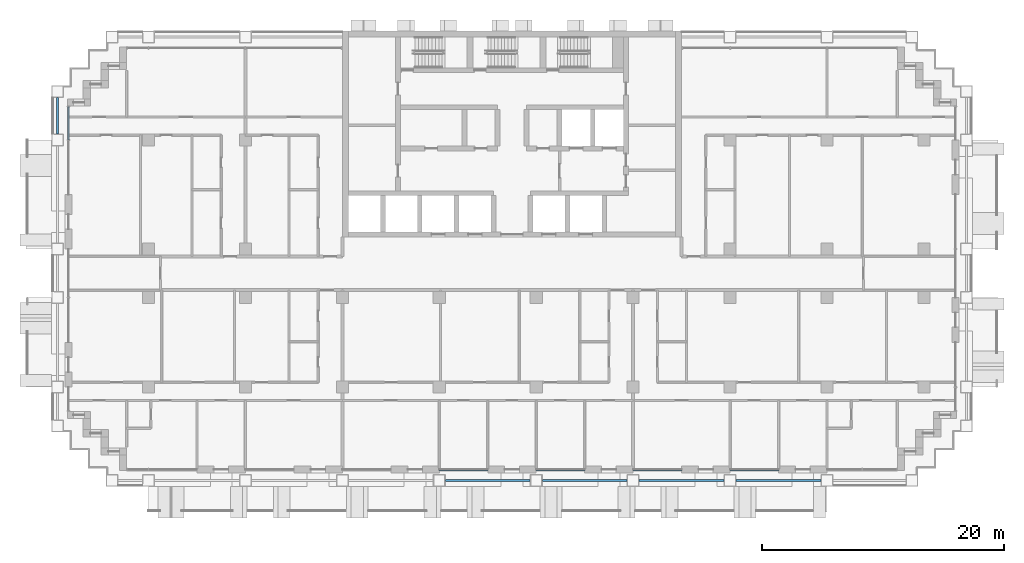
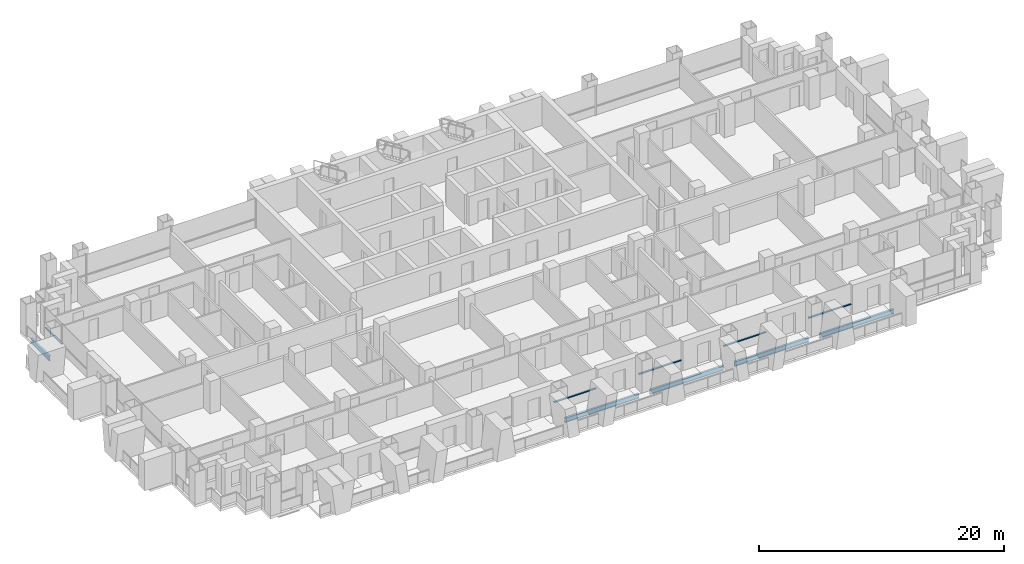
# One storey, part 3 of 18: 5 beams, 5 members, 5 elements without a shape of their own.
"""IFC4 building model written with IfcOpenShell, lengths in metres."""

from ifc_helpers import new_model, si_unit, direction, frame, origin, origin_2d, place, context, subcontext, project, spatial, rectangle, i_section, extrude, material, material_profile, profile_set, type_object, element, aggregate, save


model = new_model("IFC4")

# Units and contexts
model_context = context("Model", 3, precision=1e-05, world=origin(), true_north=direction((0.0, 1.0)))
body_context = subcontext(model_context, "Body", "Model", "MODEL_VIEW")
ifc_project = project(units=[si_unit("LENGTHUNIT", "METRE"), si_unit("AREAUNIT", "SQUARE_METRE"), si_unit("VOLUMEUNIT", "CUBIC_METRE"), si_unit("PLANEANGLEUNIT", "RADIAN"), si_unit("MASSUNIT", "GRAM", prefix="KILO")], contexts=[model_context])

# Site, building, storey
site_placement = place(None, origin())
site = spatial("IfcSite", under=ifc_project, at=site_placement, CompositionType="ELEMENT")
building_placement = place(site_placement, origin())
building = spatial("IfcBuilding", under=site, at=building_placement, Name="Vidyagriha Tower", CompositionType="ELEMENT")
storey_placement = place(building_placement, frame((0.0, 0.0, 54.39990234375)))
storey = spatial("IfcBuildingStorey", under=building, at=storey_placement, Name="L14", CompositionType="ELEMENT", Elevation=54.39990234375)

# Beams
ifc_material_1 = material(Name="Steel ASTM A992 Grade 50", Category="steel")
ifc_material_profile_1 = material_profile(ifc_material_1, i_section(OverallWidth=0.19189453125, OverallDepth=0.46240234375, WebThickness=0.010498046875, FlangeThickness=0.017578125, at=origin_2d()), Name="W18X60")
ifc_profile_set_1 = profile_set([ifc_material_profile_1], Name="Steel ASTM A992 Grade 50")
beam_type = type_object("IfcBeamType", Name="Edge beam W18X60", PredefinedType="SPANDREL", material=ifc_profile_set_1)
for number, where, z_axis, x_axis, name in (
    (1, (-5.5, -17.10009765625, -0.510986328125), (1.0, 0.0, 0.0), (0.0, 1.0, 0.0), "st-beam-L14-S05"),
    (2, (2.5, -17.10009765625, -0.510986328125), (1.0, 0.0, 0.0), (0.0, 1.0, 0.0), "st-beam-L14-S06"),
    (3, (10.5, -17.10009765625, -0.510986328125), (1.0, 0.0, 0.0), (0.0, 1.0, 0.0), "st-beam-L14-S07"),
    (4, (18.5, -17.10009765625, -0.510986328125), (1.0, 0.0, 0.0), (0.0, 1.0, 0.0), "st-beam-L14-S08"),
):
    element("IfcBeam", number, at=place(storey_placement, frame(where, z_axis=z_axis, x_axis=x_axis)), inside=storey, type_object=beam_type, Name=name, PredefinedType="SPANDREL", context=body_context, shape_type="SweptSolid", body=[
        extrude(i_section(OverallWidth=0.19189453125, OverallDepth=0.46240234375, WebThickness=0.010498046875, FlangeThickness=0.017578125, at=origin_2d()), origin(), (0.0, 0.0, 1.0), 7.0),
    ])
beam_placement = place(storey_placement, frame((-37.5, 11.5, -0.510986328125), z_axis=(0.0, 1.0, 0.0), x_axis=(-1.0, 0.0, 0.0)))
element("IfcBeam", 5, at=beam_placement, inside=storey, type_object=beam_type, Name="st-beam-L14-W14", PredefinedType="SPANDREL", context=body_context, shape_type="SweptSolid", body=[
    extrude(i_section(OverallWidth=0.19189453125, OverallDepth=0.46240234375, WebThickness=0.010498046875, FlangeThickness=0.017578125, at=origin_2d()), origin(), (0.0, 0.0, 1.0), 3.0),
])

# Curtain wall, member
ifc_material_2 = material(Name="Aluminium and glass curtain wall", Category="aluminium")
curtain_wall_type = type_object("IfcCurtainWallType", Name="Dwelling skin unitised curtain wall", PredefinedType="USERDEFINED", material=ifc_material_2)
curtain_wall_1_placement = place(storey_placement, origin())
curtain_wall_1 = element("IfcCurtainWall", 6, at=curtain_wall_1_placement, inside=storey, type_object=curtain_wall_type, Name="CW1 dwelling skin", ObjectType="UNITISED", PredefinedType="USERDEFINED")
ifc_material_3 = material(Name="Aluminium black anodised", Category="aluminium")
ifc_material_profile_2 = material_profile(ifc_material_3, rectangle(XDim=0.159912109375, YDim=0.10009765625, at=origin_2d()), Name="Transom 100x160 black aluminium")
ifc_profile_set_2 = profile_set([ifc_material_profile_2], Name="Aluminium black anodised")
member_type = type_object("IfcMemberType", Name="Transom 100x160 black aluminium", PredefinedType="USERDEFINED", material=ifc_profile_set_2)
member_1_placement = place(storey_placement, frame((-36.60009765625, 13.72998046875, 0.900146484375), z_axis=(0.0, -1.0, 0.0), x_axis=(1.0, 0.0, 0.0)))
member_1 = element("IfcMember", 7, at=member_1_placement, type_object=member_type, Name="CW1 transom 1.1", ObjectType="TRANSOM", PredefinedType="USERDEFINED", context=body_context, shape_type="SweptSolid", body=[
    extrude(rectangle(XDim=0.159912109375, YDim=0.10009765625, at=origin_2d()), origin(), (0.0, 0.0, 1.0), 2.695068359375),
])
aggregate(curtain_wall_1, [member_1])

curtain_wall_2_placement = place(storey_placement, origin())
curtain_wall_2 = element("IfcCurtainWall", 8, at=curtain_wall_2_placement, inside=storey, type_object=curtain_wall_type, Name="CW1 dwelling skin", ObjectType="UNITISED", PredefinedType="USERDEFINED")
member_2_placement = place(storey_placement, frame((-6.0, -16.199951171875, 0.900146484375), z_axis=(1.0, 0.0, 0.0), x_axis=(0.0, 1.0, 0.0)))
member_2 = element("IfcMember", 9, at=member_2_placement, type_object=member_type, Name="CW1 transom 1.1", ObjectType="TRANSOM", PredefinedType="USERDEFINED", context=body_context, shape_type="SweptSolid", body=[
    extrude(rectangle(XDim=0.159912109375, YDim=0.10009765625, at=origin_2d()), origin(), (0.0, 0.0, 1.0), 4.0),
])
aggregate(curtain_wall_2, [member_2])

curtain_wall_3_placement = place(storey_placement, origin())
curtain_wall_3 = element("IfcCurtainWall", 10, at=curtain_wall_3_placement, inside=storey, type_object=curtain_wall_type, Name="CW1 dwelling skin", ObjectType="UNITISED", PredefinedType="USERDEFINED")
member_3_placement = place(storey_placement, frame((2.0, -16.199951171875, 0.900146484375), z_axis=(1.0, 0.0, 0.0), x_axis=(0.0, 1.0, 0.0)))
member_3 = element("IfcMember", 11, at=member_3_placement, type_object=member_type, Name="CW1 transom 1.1", ObjectType="TRANSOM", PredefinedType="USERDEFINED", context=body_context, shape_type="SweptSolid", body=[
    extrude(rectangle(XDim=0.159912109375, YDim=0.10009765625, at=origin_2d()), origin(), (0.0, 0.0, 1.0), 4.0),
])
aggregate(curtain_wall_3, [member_3])

curtain_wall_4_placement = place(storey_placement, origin())
curtain_wall_4 = element("IfcCurtainWall", 12, at=curtain_wall_4_placement, inside=storey, type_object=curtain_wall_type, Name="CW1 dwelling skin", ObjectType="UNITISED", PredefinedType="USERDEFINED")
member_4_placement = place(storey_placement, frame((10.0, -16.199951171875, 0.900146484375), z_axis=(1.0, 0.0, 0.0), x_axis=(0.0, 1.0, 0.0)))
member_4 = element("IfcMember", 13, at=member_4_placement, type_object=member_type, Name="CW1 transom 1.1", ObjectType="TRANSOM", PredefinedType="USERDEFINED", context=body_context, shape_type="SweptSolid", body=[
    extrude(rectangle(XDim=0.159912109375, YDim=0.10009765625, at=origin_2d()), origin(), (0.0, 0.0, 1.0), 4.0),
])
aggregate(curtain_wall_4, [member_4])

curtain_wall_5_placement = place(storey_placement, origin())
curtain_wall_5 = element("IfcCurtainWall", 14, at=curtain_wall_5_placement, inside=storey, type_object=curtain_wall_type, Name="CW1 dwelling skin", ObjectType="UNITISED", PredefinedType="USERDEFINED")
member_5_placement = place(storey_placement, frame((18.0, -16.199951171875, 0.900146484375), z_axis=(1.0, 0.0, 0.0), x_axis=(0.0, 1.0, 0.0)))
member_5 = element("IfcMember", 15, at=member_5_placement, type_object=member_type, Name="CW1 transom 1.1", ObjectType="TRANSOM", PredefinedType="USERDEFINED", context=body_context, shape_type="SweptSolid", body=[
    extrude(rectangle(XDim=0.159912109375, YDim=0.10009765625, at=origin_2d()), origin(), (0.0, 0.0, 1.0), 4.0),
])
aggregate(curtain_wall_5, [member_5])

save(model, "model.ifc")
